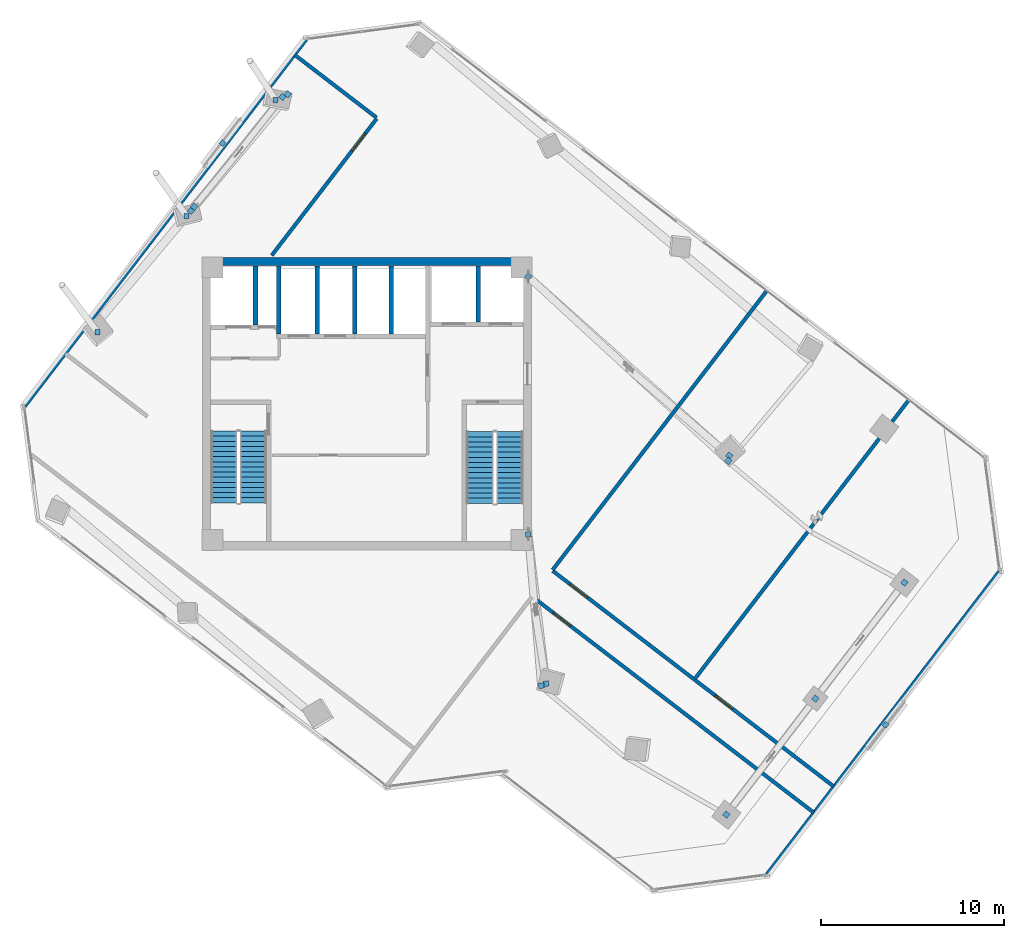
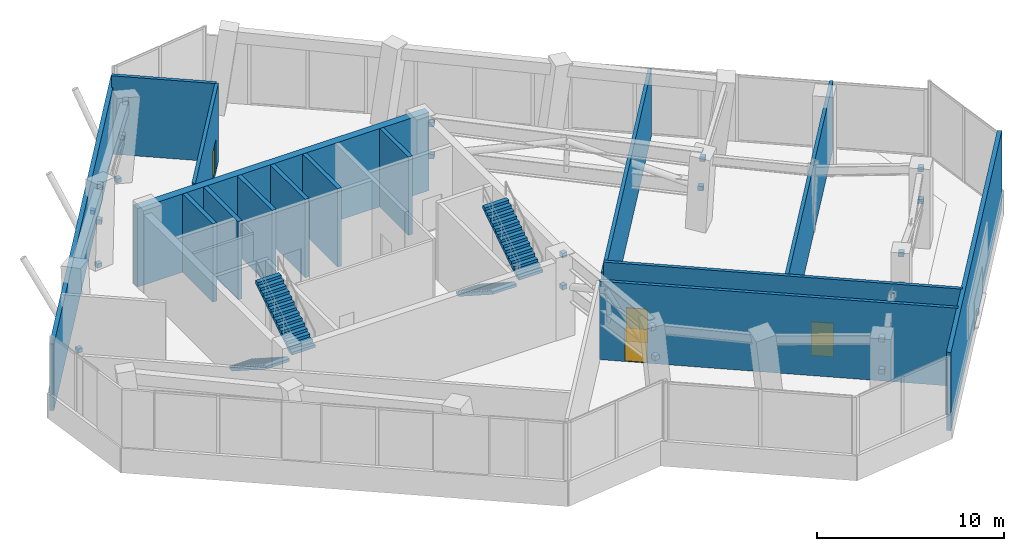
# One storey, part 19 of 22: 23 discrete accessories, 15 walls, 4 doors, 4 stair flights, 4 openings, 2 elements without a shape of their own.
"""IFC4 building model written with IfcOpenShell, lengths in metres."""

from ifc_helpers import new_model, si_unit, direction, frame, frame_2d, origin, origin_2d, place, context, subcontext, project, spatial, polyline, rectangle, outline, extrude, source, transform, mapped, material, layer, layer_set, type_object, element, fill, aggregate, save


model = new_model("IFC4")

# Units and contexts
model_context = context("Model", 3, precision=1e-05, world=origin(), true_north=direction((0.0, 1.0)))
body_context = subcontext(model_context, "Body", "Model", "MODEL_VIEW")
ifc_project = project(units=[si_unit("LENGTHUNIT", "METRE"), si_unit("AREAUNIT", "SQUARE_METRE"), si_unit("VOLUMEUNIT", "CUBIC_METRE"), si_unit("PLANEANGLEUNIT", "RADIAN"), si_unit("MASSUNIT", "GRAM", prefix="KILO")], contexts=[model_context])

# Site, building, storey
site_placement = place(None, origin())
site = spatial("IfcSite", under=ifc_project, at=site_placement, CompositionType="ELEMENT")
building_placement = place(site_placement, origin())
building = spatial("IfcBuilding", under=site, at=building_placement, Name="Torre Montelarca", CompositionType="ELEMENT")
storey_placement = place(building_placement, frame((0.0, 0.0, 209.800048828125)))
storey = spatial("IfcBuildingStorey", under=building, at=storey_placement, Name="L47", CompositionType="ELEMENT", Elevation=209.800048828125)

# Walls
ifc_material_1 = material(Name="Concrete C40/50", Category="concrete")
ifc_layer_1 = layer(ifc_material_1, 0.25, Name="Concrete C40/50", Category="concrete")
ifc_layer_set_1 = layer_set([ifc_layer_1], Name="Concrete C40/50")
wall_type_1 = type_object("IfcWallType", Name="CW-SHAFT-250", PredefinedType="SHEAR", material=ifc_layer_set_1)
wall_1_placement = place(storey_placement, frame((11.89990234375, 36.31005859375, 0.0), z_axis=(0.0, 0.0, 1.0), x_axis=(0.0, 1.0, 0.0)))
element("IfcWall", 1, at=wall_1_placement, inside=storey, type_object=wall_type_1, Name="L47 Core Shear Wall SH-SV1-E", PredefinedType="SHEAR", context=body_context, shape_type="SweptSolid", body=[
    extrude(rectangle(XDim=3.22998046875, YDim=0.25, at=frame_2d((1.614990234375, 0.0))), origin(), (0.0, 0.0, 1.0), 5.119873046875),
])
wall_2_placement = place(storey_placement, frame((24.080078125, 36.47998046875, 0.0), z_axis=(0.0, 0.0, 1.0), x_axis=(0.0, 1.0, 0.0)))
element("IfcWall", 2, at=wall_2_placement, inside=storey, type_object=wall_type_1, Name="L47 Core Shear Wall SH-FF-M", PredefinedType="SHEAR", context=body_context, shape_type="SweptSolid", body=[
    extrude(rectangle(XDim=3.06005859375, YDim=0.25, at=frame_2d((1.530029296875, 0.0))), origin(), (0.0, 0.0, 1.0), 5.119873046875),
])
for number, where, z_axis, x_axis, name in (
    (3, (13.179931640625, 35.81005859375, 0.0), (0.0, 0.0, 1.0), (0.0, 1.0, 0.0), "L47 Core Shear Wall SH-PLM-W"),
    (4, (15.280029296875, 35.81005859375, 0.0), (0.0, 0.0, 1.0), (0.0, 1.0, 0.0), "L47 Core Shear Wall SH-PLM-M"),
    (5, (17.320068359375, 35.81005859375, 0.0), (0.0, 0.0, 1.0), (0.0, 1.0, 0.0), "L47 Core Shear Wall SH-PLH-W"),
    (6, (19.320068359375, 35.81005859375, 0.0), (0.0, 0.0, 1.0), (0.0, 1.0, 0.0), "L47 Core Shear Wall SH-PLH-M"),
):
    element("IfcWall", number, at=place(storey_placement, frame(where, z_axis=z_axis, x_axis=x_axis)), inside=storey, type_object=wall_type_1, Name=name, PredefinedType="SHEAR", context=body_context, shape_type="SweptSolid", body=[
        extrude(rectangle(XDim=3.72998046875, YDim=0.25, at=frame_2d((1.864990234375, 0.0))), origin(), (0.0, 0.0, 1.0), 5.119873046875),
    ])
ifc_material_2 = material(Name="Concrete C55/67", Category="concrete")
ifc_layer_2 = layer(ifc_material_2, 0.449951171875, Name="Concrete C55/67", Category="concrete")
ifc_layer_set_2 = layer_set([ifc_layer_2], Name="Concrete C55/67")
wall_type_2 = type_object("IfcWallType", Name="CW-SHEAR-450", PredefinedType="SHEAR", material=ifc_layer_set_2)
wall_3_placement = place(storey_placement, frame((9.0, 39.77490234375, 0.0), z_axis=(0.0, 0.0, 1.0), x_axis=(1.0, 0.0, 0.0)))
element("IfcWall", 7, at=wall_3_placement, inside=storey, type_object=wall_type_2, Name="L47 Core Shear Wall CW-N1", PredefinedType="SHEAR", context=body_context, shape_type="SweptSolid", body=[
    extrude(rectangle(XDim=18.0, YDim=0.449951171875, at=frame_2d((9.0, 0.0))), origin(), (0.0, 0.0, 1.0), 5.119873046875),
])
ifc_material_3 = material(Name="Precast concrete C45/55", Category="concrete")
ifc_layer_3 = layer(ifc_material_3, 0.25, Name="Precast concrete C45/55", Category="concrete")
ifc_layer_set_3 = layer_set([ifc_layer_3], Name="Precast concrete C45/55")
wall_type_3 = type_object("IfcWallType", Name="EW-CONC-250", PredefinedType="SOLIDWALL", material=ifc_layer_set_3)
wall_4_placement = place(storey_placement, frame((39.893310546875, 6.246826171875, 0.0), z_axis=(0.0, 0.0, 1.0), x_axis=(0.608770669871, 0.793346249442, 0.0)))
element("IfcWall", 8, at=wall_4_placement, inside=storey, type_object=wall_type_3, Name="L47 Mechanical Belt-Truss Louvre Wall E06", PredefinedType="SOLIDWALL", context=body_context, shape_type="SweptSolid", body=[
    extrude(rectangle(XDim=20.868408203125, YDim=0.25, at=frame_2d((10.43408203125, 0.0))), origin(), (0.0, 0.0, 1.0), 5.119873046875),
])
wall_5_placement = place(storey_placement, frame((14.643310546875, 51.92578125, 0.0), z_axis=(0.0, 0.0, 1.0), x_axis=(-0.608767593538, -0.793348610043, 0.0)))
element("IfcWall", 9, at=wall_5_placement, inside=storey, type_object=wall_type_3, Name="L47 Mechanical Belt-Truss Louvre Wall E10", PredefinedType="SOLIDWALL", context=body_context, shape_type="SweptSolid", body=[
    extrude(rectangle(XDim=25.268310546875, YDim=0.25, at=frame_2d((12.63427734375, 0.0))), origin(), (0.0, 0.0, 1.0), 4.35498046875),
])

# Wall, opening, door
ifc_material_4 = material(Name="Gypsum fireboard and rockwool on steel stud", Category="steel")
ifc_layer_4 = layer(ifc_material_4, 0.199951171875, Name="Gypsum fireboard and rockwool on steel stud", Category="steel")
ifc_layer_set_4 = layer_set([ifc_layer_4], Name="Gypsum fireboard and rockwool on steel stud")
wall_type_4 = type_object("IfcWallType", Name="PW-FIRE-200", PredefinedType="SOLIDWALL", material=ifc_layer_set_4)
wall_6_placement = place(storey_placement, frame((27.06396484375, 21.427978515625, 0.0), z_axis=(0.0, 0.0, 1.0), x_axis=(0.793361845728, -0.608750344348, 0.0)))
wall_6 = element("IfcWall", 10, at=wall_6_placement, inside=storey, type_object=wall_type_4, Name="L47 Interior Partition W-L47-CHILN", PredefinedType="SOLIDWALL", context=body_context, shape_type="SweptSolid", body=[
    extrude(rectangle(XDim=19.3701171875, YDim=0.199951171875, at=frame_2d((9.68505859375, 0.0))), origin(), (0.0, 0.0, 1.0), 5.119873046875),
])
opening_1_placement = place(wall_6_placement, frame((1.39990234375, 0.0, 0.0)))
opening_1 = element("IfcOpeningElement", 11, at=opening_1_placement, cuts=wall_6, Name="Opening FD-120", PredefinedType="OPENING", context=body_context, shape_type="SweptSolid", body=[
    extrude(rectangle(XDim=1.199951171875, YDim=2.199951171875, at=frame_2d((0.60009765625, 1.10009765625))), frame((0.0, 0.10986328125, 0.0), z_axis=(0.0, -1.0, 0.0), x_axis=(1.0, 0.0, 0.0)), (0.0, 0.0, 1.0), 0.219970703125),
])
ifc_material_5 = material(Name="Galvanized steel fire door", Category="steel")
door_type = type_object("IfcDoorType", Name="DR-FIRE-120", OperationType="NOTDEFINED", PredefinedType="DOOR", material=ifc_material_5)
shared_shape_1 = source(origin(), body_context, "Body", "SweptSolid", [
    extrude(rectangle(XDim=1.199951171875, YDim=2.199951171875, at=frame_2d((0.60009765625, 1.10009765625))), frame((0.0, 0.02490234375, 0.0), z_axis=(0.0, -1.0, 0.0), x_axis=(1.0, 0.0, 0.0)), (0.0, 0.0, 1.0), 0.050048828125),
])
door_1_placement = place(opening_1_placement, origin())
door_1 = element("IfcDoor", 12, at=door_1_placement, inside=storey, type_object=door_type, Name="L47 Interior Door 04", OperationType="SINGLE_SWING_RIGHT", OverallHeight=2.199951171875, OverallWidth=1.199951171875, PredefinedType="DOOR", context=body_context, shape_type="MappedRepresentation", body=[
    mapped(shared_shape_1, transform((0.0, 0.0, 0.0), scale=1.0)),
])
fill(opening_1, door_1)

# Wall
wall_7_placement = place(storey_placement, frame((28.152587890625, 22.912353515625, 0.0), z_axis=(0.0, 0.0, 1.0), x_axis=(0.608759913357, 0.793354503289, 0.0)))
element("IfcWall", 13, at=wall_7_placement, inside=storey, type_object=wall_type_4, Name="L47 Interior Partition W-L47-PAHUW", PredefinedType="SOLIDWALL", context=body_context, shape_type="SweptSolid", body=[
    extrude(rectangle(XDim=19.179931640625, YDim=0.199951171875, at=frame_2d((9.58984375, 0.0))), origin(), (0.0, 0.0, 1.0), 4.35498046875),
])

# Wall, openings, doors
wall_8_placement = place(storey_placement, frame((28.159912109375, 22.856201171875, 0.0), z_axis=(0.0, 0.0, 1.0), x_axis=(0.793351087566, -0.608764364806, 0.0)))
wall_8 = element("IfcWall", 14, at=wall_8_placement, inside=storey, type_object=wall_type_4, Name="L47 Interior Partition W-L47-AHUS", PredefinedType="SOLIDWALL", context=body_context, shape_type="SweptSolid", body=[
    extrude(rectangle(XDim=19.369873046875, YDim=0.199951171875, at=frame_2d((9.68505859375, 0.0))), origin(), (0.0, 0.0, 1.0), 5.119873046875),
])
opening_2_placement = place(wall_8_placement, frame((1.199951171875, 0.0, 0.0)))
opening_2 = element("IfcOpeningElement", 15, at=opening_2_placement, cuts=wall_8, Name="Opening FD-120", PredefinedType="OPENING", context=body_context, shape_type="SweptSolid", body=[
    extrude(rectangle(XDim=1.199951171875, YDim=2.199951171875, at=frame_2d((0.60009765625, 1.10009765625))), frame((0.0, 0.10986328125, 0.0), z_axis=(0.0, -1.0, 0.0), x_axis=(1.0, 0.0, 0.0)), (0.0, 0.0, 1.0), 0.219970703125),
])
opening_3_placement = place(wall_8_placement, frame((11.199951171875, 0.0, 0.0)))
opening_3 = element("IfcOpeningElement", 16, at=opening_3_placement, cuts=wall_8, Name="Opening FD-120", PredefinedType="OPENING", context=body_context, shape_type="SweptSolid", body=[
    extrude(rectangle(XDim=1.199951171875, YDim=2.199951171875, at=frame_2d((0.60009765625, 1.10009765625))), frame((0.0, 0.10986328125, 0.0), z_axis=(0.0, -1.0, 0.0), x_axis=(1.0, 0.0, 0.0)), (0.0, 0.0, 1.0), 0.219970703125),
])
door_2_placement = place(opening_2_placement, origin())
door_2 = element("IfcDoor", 17, at=door_2_placement, inside=storey, type_object=door_type, Name="L47 Interior Door 05", OperationType="SINGLE_SWING_RIGHT", OverallHeight=2.199951171875, OverallWidth=1.199951171875, PredefinedType="DOOR", context=body_context, shape_type="MappedRepresentation", body=[
    mapped(shared_shape_1, transform((0.0, 0.0, 0.0), scale=1.0)),
])
fill(opening_2, door_2)
door_3_placement = place(opening_3_placement, origin())
door_3 = element("IfcDoor", 18, at=door_3_placement, inside=storey, type_object=door_type, Name="L47 Interior Door 06", OperationType="SINGLE_SWING_LEFT", OverallHeight=2.199951171875, OverallWidth=1.199951171875, PredefinedType="DOOR", context=body_context, shape_type="MappedRepresentation", body=[
    mapped(shared_shape_1, transform((0.0, 0.0, 0.0), scale=1.0)),
])
fill(opening_3, door_3)

# Walls
wall_9_placement = place(storey_placement, frame((35.927490234375, 16.9462890625, 0.0), z_axis=(0.0, 0.0, 1.0), x_axis=(0.608745753992, 0.793365367908, 0.0)))
element("IfcWall", 19, at=wall_9_placement, inside=storey, type_object=wall_type_4, Name="L47 Interior Partition W-L47-AHUD", PredefinedType="SOLIDWALL", context=body_context, shape_type="SweptSolid", body=[
    extrude(rectangle(XDim=19.18017578125, YDim=0.199951171875, at=frame_2d((9.590087890625, 0.0))), origin(), (0.0, 0.0, 1.0), 4.468505859375),
])
wall_10_placement = place(storey_placement, frame((14.05322265625, 51.074951171875, 0.0), z_axis=(0.0, 0.0, 1.0), x_axis=(0.793374587845, -0.608733737657, 0.0)))
element("IfcWall", 20, at=wall_10_placement, inside=storey, type_object=wall_type_4, Name="L47 Interior Partition W-L47-ELECN", PredefinedType="SOLIDWALL", context=body_context, shape_type="SweptSolid", body=[
    extrude(rectangle(XDim=5.630126953125, YDim=0.199951171875, at=frame_2d((2.81494140625, 0.0))), origin(), (0.0, 0.0, 1.0), 5.119873046875),
])

# Wall, opening, door
wall_11_placement = place(storey_placement, frame((12.787841796875, 40.11181640625, 0.0), z_axis=(0.0, 0.0, 1.0), x_axis=(0.608739193351, 0.793370401816, 0.0)))
wall_11 = element("IfcWall", 21, at=wall_11_placement, inside=storey, type_object=wall_type_4, Name="L47 Interior Partition W-L47-ELECE", PredefinedType="SOLIDWALL", context=body_context, shape_type="SweptSolid", body=[
    extrude(rectangle(XDim=9.42822265625, YDim=0.199951171875, at=frame_2d((4.714111328125, 0.0))), origin(), (0.0, 0.0, 1.0), 5.119873046875),
])
opening_4_placement = place(wall_11_placement, frame((7.2099609375, 0.0, 0.0)))
opening_4 = element("IfcOpeningElement", 22, at=opening_4_placement, cuts=wall_11, Name="Opening FD-120", PredefinedType="OPENING", context=body_context, shape_type="SweptSolid", body=[
    extrude(rectangle(XDim=1.199951171875, YDim=2.199951171875, at=frame_2d((0.60009765625, 1.10009765625))), frame((0.0, 0.10986328125, 0.0), z_axis=(0.0, -1.0, 0.0), x_axis=(1.0, 0.0, 0.0)), (0.0, 0.0, 1.0), 0.219970703125),
])
door_4_placement = place(opening_4_placement, origin())
door_4 = element("IfcDoor", 23, at=door_4_placement, inside=storey, type_object=door_type, Name="L47 Interior Door 07", OperationType="SINGLE_SWING_RIGHT", OverallHeight=2.199951171875, OverallWidth=1.199951171875, PredefinedType="DOOR", context=body_context, shape_type="MappedRepresentation", body=[
    mapped(shared_shape_1, transform((0.0, 0.0, 0.0), scale=1.0)),
])
fill(opening_4, door_4)

# Stair, stair flights
stair_type_1 = type_object("IfcStairType", Name="ST-CORE-ST1", PredefinedType="HALF_TURN_STAIR", material=ifc_material_1)
stair_1_placement = place(storey_placement, origin())
stair_1 = element("IfcStair", 24, at=stair_1_placement, inside=storey, type_object=stair_type_1, Name="L47 Protected Exit Stair ST1", PredefinedType="HALF_TURN_STAIR")
stair_flight_type_1 = type_object("IfcStairFlightType", Name="SFL-CORE-ST1", PredefinedType="STRAIGHT", material=ifc_material_1)
stair_flight_1_placement = place(storey_placement, frame((10.175048828125, 30.5, 0.0), z_axis=(0.0, 0.0, 1.0), x_axis=(0.0, -1.0, 0.0)))
stair_flight_1 = element("IfcStairFlight", 25, at=stair_flight_1_placement, type_object=stair_flight_type_1, Name="ST1 flight 1", NumberOfRisers=15, NumberOfTreads=14, PredefinedType="STRAIGHT", RiserHeight=0.18, TreadLength=0.28, context=body_context, shape_type="SweptSolid", body=[
    extrude(outline(polyline([(0.0, 0.0), (0.0, 0.179931640625), (0.280029296875, 0.179931640625), (0.280029296875, 0.360107421875), (0.56005859375, 0.360107421875), (0.56005859375, 0.5400390625), (0.840087890625, 0.5400390625), (0.840087890625, 0.719970703125), (1.1201171875, 0.719970703125), (1.1201171875, 0.89990234375), (1.39990234375, 0.89990234375), (1.39990234375, 1.080078125), (1.679931640625, 1.080078125), (1.679931640625, 1.260009765625), (1.9599609375, 1.260009765625), (1.9599609375, 1.43994140625), (2.239990234375, 1.43994140625), (2.239990234375, 1.6201171875), (2.52001953125, 1.6201171875), (2.52001953125, 1.800048828125), (2.800048828125, 1.800048828125), (2.800048828125, 1.97998046875), (3.080078125, 1.97998046875), (3.080078125, 2.159912109375), (3.360107421875, 2.159912109375), (3.360107421875, 2.340087890625), (3.639892578125, 2.340087890625), (3.639892578125, 2.52001953125), (3.919921875, 2.52001953125), (3.919921875, 2.699951171875), (3.919921875, 2.341796875), (0.277099609375, 0.0), (0.0, 0.0)])), frame((0.0, 0.72509765625, 0.0), z_axis=(0.0, -1.0, 0.0), x_axis=(1.0, 0.0, 0.0)), (0.0, 0.0, 1.0), 1.449951171875),
])
stair_flight_2_placement = place(storey_placement, frame((11.77490234375, 26.580078125, 2.699951171875), z_axis=(0.0, 0.0, 1.0), x_axis=(0.0, 1.0, 0.0)))
stair_flight_2 = element("IfcStairFlight", 26, at=stair_flight_2_placement, type_object=stair_flight_type_1, Name="ST1 flight 2", NumberOfRisers=15, NumberOfTreads=14, PredefinedType="STRAIGHT", RiserHeight=0.18, TreadLength=0.28, context=body_context, shape_type="SweptSolid", body=[
    extrude(outline(polyline([(0.0, 0.0), (0.0, 0.179931640625), (0.280029296875, 0.179931640625), (0.280029296875, 0.360107421875), (0.56005859375, 0.360107421875), (0.56005859375, 0.5400390625), (0.840087890625, 0.5400390625), (0.840087890625, 0.719970703125), (1.1201171875, 0.719970703125), (1.1201171875, 0.89990234375), (1.39990234375, 0.89990234375), (1.39990234375, 1.080078125), (1.679931640625, 1.080078125), (1.679931640625, 1.260009765625), (1.9599609375, 1.260009765625), (1.9599609375, 1.43994140625), (2.239990234375, 1.43994140625), (2.239990234375, 1.6201171875), (2.52001953125, 1.6201171875), (2.52001953125, 1.800048828125), (2.800048828125, 1.800048828125), (2.800048828125, 1.97998046875), (3.080078125, 1.97998046875), (3.080078125, 2.159912109375), (3.360107421875, 2.159912109375), (3.360107421875, 2.340087890625), (3.639892578125, 2.340087890625), (3.639892578125, 2.52001953125), (3.919921875, 2.52001953125), (3.919921875, 2.699951171875), (3.919921875, 2.341796875), (0.277099609375, 0.0), (0.0, 0.0)])), frame((0.0, 0.72509765625, 0.0), z_axis=(0.0, -1.0, 0.0), x_axis=(1.0, 0.0, 0.0)), (0.0, 0.0, 1.0), 1.449951171875),
])
aggregate(stair_1, [stair_flight_1, stair_flight_2])

stair_type_2 = type_object("IfcStairType", Name="ST-CORE-ST2", PredefinedType="HALF_TURN_STAIR", material=ifc_material_1)
stair_2_placement = place(storey_placement, origin())
stair_2 = element("IfcStair", 27, at=stair_2_placement, inside=storey, type_object=stair_type_2, Name="L47 Protected Exit Stair ST2", PredefinedType="HALF_TURN_STAIR")
stair_flight_type_2 = type_object("IfcStairFlightType", Name="SFL-CORE-ST2", PredefinedType="STRAIGHT", material=ifc_material_1)
stair_flight_3_placement = place(storey_placement, frame((24.179931640625, 30.469970703125, 0.0), z_axis=(0.0, 0.0, 1.0), x_axis=(0.0, -1.0, 0.0)))
stair_flight_3 = element("IfcStairFlight", 28, at=stair_flight_3_placement, type_object=stair_flight_type_2, Name="ST2 flight 1", NumberOfRisers=15, NumberOfTreads=14, PredefinedType="STRAIGHT", RiserHeight=0.18, TreadLength=0.28, context=body_context, shape_type="SweptSolid", body=[
    extrude(outline(polyline([(0.0, 0.0), (0.0, 0.179931640625), (0.280029296875, 0.179931640625), (0.280029296875, 0.360107421875), (0.56005859375, 0.360107421875), (0.56005859375, 0.5400390625), (0.840087890625, 0.5400390625), (0.840087890625, 0.719970703125), (1.1201171875, 0.719970703125), (1.1201171875, 0.89990234375), (1.39990234375, 0.89990234375), (1.39990234375, 1.080078125), (1.679931640625, 1.080078125), (1.679931640625, 1.260009765625), (1.9599609375, 1.260009765625), (1.9599609375, 1.43994140625), (2.239990234375, 1.43994140625), (2.239990234375, 1.6201171875), (2.52001953125, 1.6201171875), (2.52001953125, 1.800048828125), (2.800048828125, 1.800048828125), (2.800048828125, 1.97998046875), (3.080078125, 1.97998046875), (3.080078125, 2.159912109375), (3.360107421875, 2.159912109375), (3.360107421875, 2.340087890625), (3.639892578125, 2.340087890625), (3.639892578125, 2.52001953125), (3.919921875, 2.52001953125), (3.919921875, 2.699951171875), (3.919921875, 2.341796875), (0.277099609375, 0.0), (0.0, 0.0)])), frame((0.0, 0.739990234375, 0.0), z_axis=(0.0, -1.0, 0.0), x_axis=(1.0, 0.0, 0.0)), (0.0, 0.0, 1.0), 1.47998046875),
])
stair_flight_4_placement = place(storey_placement, frame((25.81005859375, 26.550048828125, 2.699951171875), z_axis=(0.0, 0.0, 1.0), x_axis=(0.0, 1.0, 0.0)))
stair_flight_4 = element("IfcStairFlight", 29, at=stair_flight_4_placement, type_object=stair_flight_type_2, Name="ST2 flight 2", NumberOfRisers=15, NumberOfTreads=14, PredefinedType="STRAIGHT", RiserHeight=0.18, TreadLength=0.28, context=body_context, shape_type="SweptSolid", body=[
    extrude(outline(polyline([(0.0, 0.0), (0.0, 0.179931640625), (0.280029296875, 0.179931640625), (0.280029296875, 0.360107421875), (0.56005859375, 0.360107421875), (0.56005859375, 0.5400390625), (0.840087890625, 0.5400390625), (0.840087890625, 0.719970703125), (1.1201171875, 0.719970703125), (1.1201171875, 0.89990234375), (1.39990234375, 0.89990234375), (1.39990234375, 1.080078125), (1.679931640625, 1.080078125), (1.679931640625, 1.260009765625), (1.9599609375, 1.260009765625), (1.9599609375, 1.43994140625), (2.239990234375, 1.43994140625), (2.239990234375, 1.6201171875), (2.52001953125, 1.6201171875), (2.52001953125, 1.800048828125), (2.800048828125, 1.800048828125), (2.800048828125, 1.97998046875), (3.080078125, 1.97998046875), (3.080078125, 2.159912109375), (3.360107421875, 2.159912109375), (3.360107421875, 2.340087890625), (3.639892578125, 2.340087890625), (3.639892578125, 2.52001953125), (3.919921875, 2.52001953125), (3.919921875, 2.699951171875), (3.919921875, 2.341796875), (0.277099609375, 0.0), (0.0, 0.0)])), frame((0.0, 0.739990234375, 0.0), z_axis=(0.0, -1.0, 0.0), x_axis=(1.0, 0.0, 0.0)), (0.0, 0.0, 1.0), 1.47998046875),
])
aggregate(stair_2, [stair_flight_3, stair_flight_4])

# Discrete accessories
ifc_material_6 = material(Name="Stainless steel AISI 316", Category="steel")
discrete_accessory_type = type_object("IfcDiscreteAccessoryType", Name="ACC-BRACKET-SS", PredefinedType="BRACKET", material=ifc_material_6)
shared_shape_2 = source(origin(), body_context, "Body", "SweptSolid", [
    extrude(rectangle(XDim=0.280029296875, YDim=0.280029296875, at=origin_2d()), origin(), (0.0, 0.0, 1.0), 0.280029296875),
])
for number, where, z_axis, x_axis, name in (
    (30, (3.261962890625, 35.910888671875, 0.009765625), (0.0, 0.0, 1.0), (1.0, 0.0, 0.0), "L48 Raker End Connection Bracket W1-FT"),
    (31, (8.132080078125, 42.257568359375, 0.009765625), (0.0, 0.0, 1.0), (1.0, 0.0, 0.0), "L48 Raker End Connection Bracket W2-FT"),
    (32, (13.002197265625, 48.6044921875, 0.009765625), (0.0, 0.0, 1.0), (1.0, 0.0, 0.0), "L48 Raker End Connection Bracket W3-FT"),
):
    element("IfcDiscreteAccessory", number, at=place(storey_placement, frame(where, z_axis=z_axis, x_axis=x_axis)), inside=storey, type_object=discrete_accessory_type, Name=name, PredefinedType="BRACKET", context=body_context, shape_type="MappedRepresentation", body=[
        mapped(shared_shape_2, transform((0.0, 0.0, 0.0), scale=1.0)),
    ])
shared_shape_3 = source(origin(), body_context, "Body", "SweptSolid", [
    extrude(rectangle(XDim=0.300048828125, YDim=0.300048828125, at=origin_2d()), origin(), (0.0, 0.0, 1.0), 0.300048828125),
])
for number, where, z_axis, x_axis, name in (
    (33, (26.820068359375, 24.85009765625, 2.60009765625), (0.0, 0.0, 1.0), (-0.118403968307, 0.992965508107, 0.0), "L47 Outrigger End Connection Bracket 1-CB"),
    (34, (26.820068359375, 24.85009765625, 4.69970703125), (0.0, 0.0, 1.0), (-0.118403968307, 0.992965508107, 0.0), "L47 Outrigger End Connection Bracket 1-CT"),
    (35, (27.793212890625, 16.68603515625, 2.60009765625), (0.0, 0.0, 1.0), (-0.118403968307, 0.992965508107, 0.0), "L47 Outrigger End Connection Bracket 1-WB"),
    (36, (27.533447265625, 16.5791015625, 4.69970703125), (0.0, 0.0, 1.0), (-0.118403968307, 0.992965508107, 0.0), "L47 Outrigger End Connection Bracket 1-WT"),
    (37, (26.820068359375, 38.949951171875, 2.60009765625), (0.0, 0.0, 1.0), (-0.746638182285, 0.665230354654, 0.0), "L47 Outrigger End Connection Bracket 2-CB"),
    (38, (26.820068359375, 38.949951171875, 4.69970703125), (0.0, 0.0, 1.0), (-0.746638182285, 0.665230354654, 0.0), "L47 Outrigger End Connection Bracket 2-CT"),
    (39, (37.810791015625, 29.1572265625, 2.60009765625), (0.0, 0.0, 1.0), (-0.746638182285, 0.665230354654, 0.0), "L47 Outrigger End Connection Bracket 2-WB"),
    (40, (37.762451171875, 28.88037109375, 4.69970703125), (0.0, 0.0, 1.0), (-0.746638182285, 0.665230354654, 0.0), "L47 Outrigger End Connection Bracket 2-WT"),
    (41, (8.366455078125, 42.549560546875, 2.60009765625), (0.0, 0.0, 1.0), (0.626195665085, 0.779665947075, 0.0), "L47 Belt-Truss End Connection Bracket 1-B0"),
    (42, (13.375, 48.78515625, 2.60009765625), (0.0, 0.0, 1.0), (0.626195665085, 0.779665947075, 0.0), "L47 Belt-Truss End Connection Bracket 1-B1"),
    (43, (8.54541015625, 42.772705078125, 4.69970703125), (0.0, 0.0, 1.0), (0.626195665085, 0.779665947075, 0.0), "L47 Belt-Truss End Connection Bracket 1-T0"),
    (44, (13.659912109375, 48.923095703125, 4.69970703125), (0.0, 0.0, 1.0), (0.626195665085, 0.779665947075, 0.0), "L47 Belt-Truss End Connection Bracket 1-T1"),
    (45, (37.65380859375, 9.52099609375, 2.60009765625), (0.0, 0.0, 1.0), (0.608761429009, 0.793353340291, 0.0), "L47 Belt-Truss End Connection Bracket 2-B0"),
    (46, (42.52392578125, 15.867919921875, 2.60009765625), (0.0, 0.0, 1.0), (0.608761429009, 0.793353340291, 0.0), "L47 Belt-Truss End Connection Bracket 2-B1"),
    (47, (37.65380859375, 9.52099609375, 4.69970703125), (0.0, 0.0, 1.0), (0.608761429009, 0.793353340291, 0.0), "L47 Belt-Truss End Connection Bracket 2-T0"),
    (48, (42.52392578125, 15.867919921875, 4.69970703125), (0.0, 0.0, 1.0), (0.608761429009, 0.793353340291, 0.0), "L47 Belt-Truss End Connection Bracket 2-T1"),
    (49, (47.39404296875, 22.214599609375, 2.60009765625), (0.0, 0.0, 1.0), (0.608761429009, 0.793353340291, 0.0), "L47 Belt-Truss End Connection Bracket 3-B1"),
    (50, (47.39404296875, 22.214599609375, 4.69970703125), (0.0, 0.0, 1.0), (0.608761429009, 0.793353340291, 0.0), "L47 Belt-Truss End Connection Bracket 3-T1"),
):
    element("IfcDiscreteAccessory", number, at=place(storey_placement, frame(where, z_axis=z_axis, x_axis=x_axis)), inside=storey, type_object=discrete_accessory_type, Name=name, PredefinedType="BRACKET", context=body_context, shape_type="MappedRepresentation", body=[
        mapped(shared_shape_3, transform((0.0, 0.0, 0.0), scale=1.0)),
    ])
shared_shape_4 = source(origin(), body_context, "Body", "SweptSolid", [
    extrude(rectangle(XDim=0.280029296875, YDim=0.260009765625, at=origin_2d()), origin(), (0.0, 0.0, 1.0), 0.239990234375),
])
for number, where, z_axis, x_axis, name in (
    (51, (46.364501953125, 14.43359375, 0.39990234375), (0.0, 0.0, 1.0), (0.608762813671, 0.793352277801, 0.0), "L47 Solar Screen Support Bracket E6-1"),
    (52, (10.1005859375, 46.252197265625, 0.39990234375), (0.0, 0.0, 1.0), (-0.608762813671, -0.793352277801, 0.0), "L47 Solar Screen Support Bracket E10-1"),
):
    element("IfcDiscreteAccessory", number, at=place(storey_placement, frame(where, z_axis=z_axis, x_axis=x_axis)), inside=storey, type_object=discrete_accessory_type, Name=name, PredefinedType="BRACKET", context=body_context, shape_type="MappedRepresentation", body=[
        mapped(shared_shape_4, transform((0.0, 0.0, 0.0), scale=1.0)),
    ])

save(model, "model.ifc")
